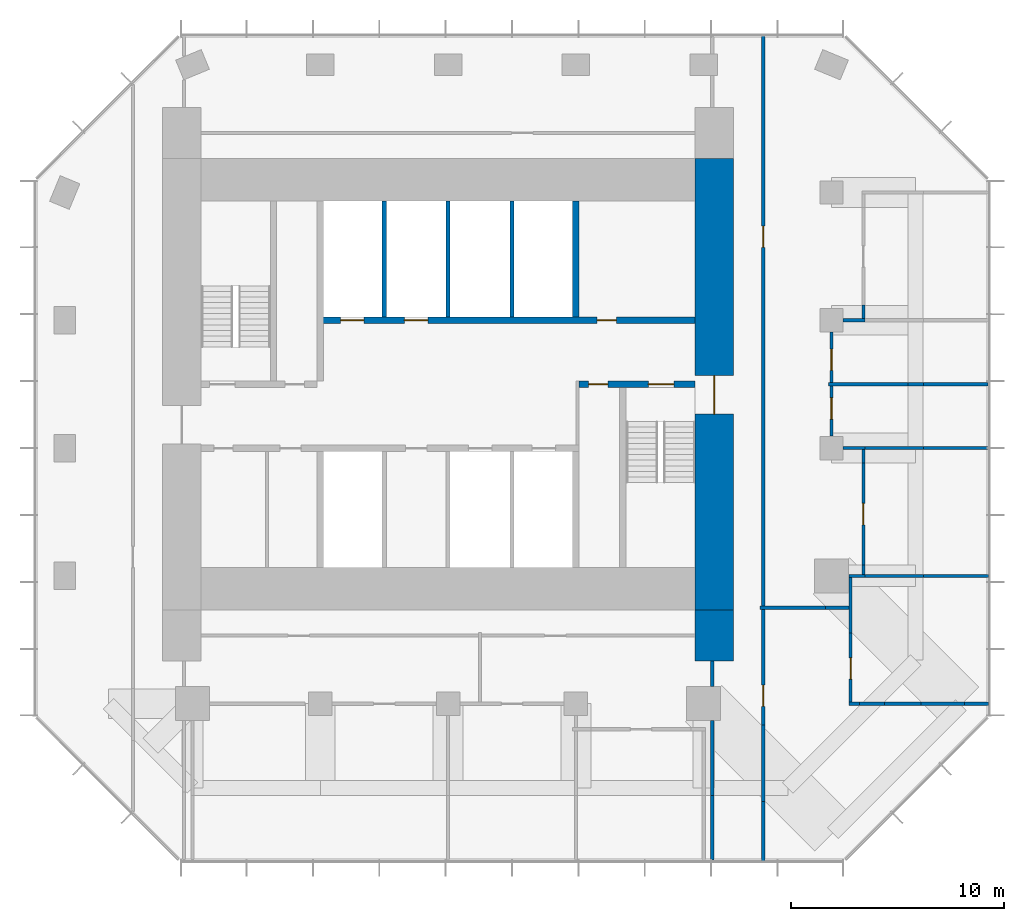
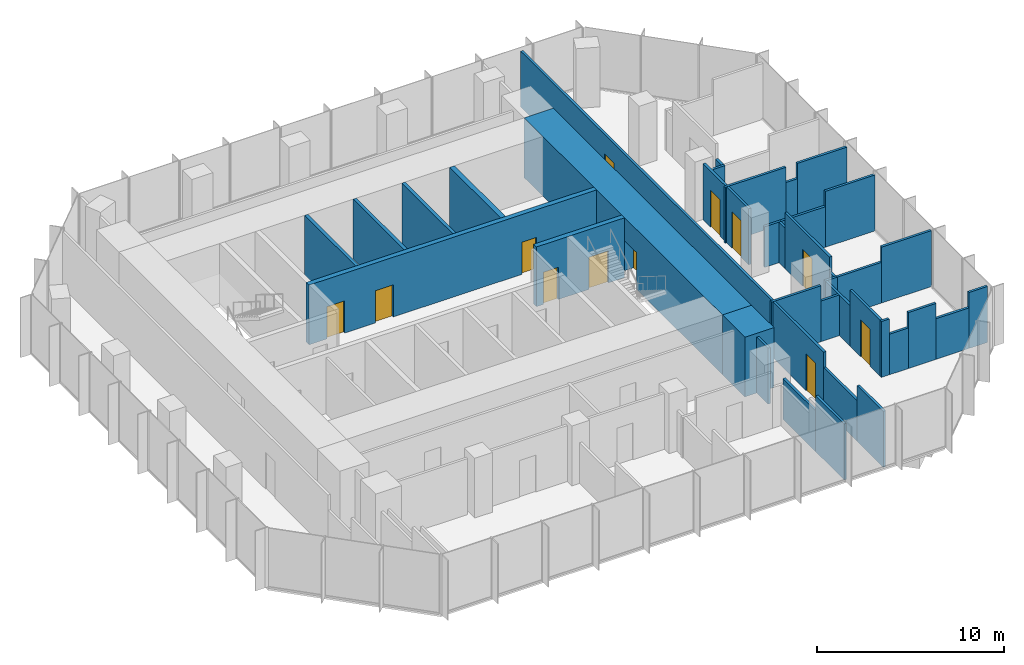
# One storey, part 9 of 11: 40 walls, 12 doors, 12 openings.
"""IFC4 building model written with IfcOpenShell, lengths in metres."""

from ifc_helpers import new_model, si_unit, direction, frame, frame_2d, origin, place, context, subcontext, project, spatial, rectangle, extrude, material, layer, layer_set, type_object, element, fill, save


model = new_model("IFC4")

# Units and contexts
model_context = context("Model", 3, precision=1e-05, world=origin(), true_north=direction((0.0, 1.0)))
body_context = subcontext(model_context, "Body", "Model", "MODEL_VIEW")
ifc_project = project(units=[si_unit("LENGTHUNIT", "METRE"), si_unit("AREAUNIT", "SQUARE_METRE"), si_unit("VOLUMEUNIT", "CUBIC_METRE"), si_unit("PLANEANGLEUNIT", "RADIAN"), si_unit("MASSUNIT", "GRAM", prefix="KILO")], contexts=[model_context])

# Site, building, storey
site_placement = place(None, origin())
site = spatial("IfcSite", under=ifc_project, at=site_placement, CompositionType="ELEMENT")
building_placement = place(site_placement, origin())
building = spatial("IfcBuilding", under=site, at=building_placement, Name="Highveld Stack Headquarters", CompositionType="ELEMENT")
storey_placement = place(building_placement, frame((0.0, 0.0, 284.0)))
storey = spatial("IfcBuildingStorey", under=building, at=storey_placement, Name="L70", CompositionType="ELEMENT", Elevation=284.0)

# Wall, opening, door
ifc_material_1 = material(Name="Concrete C60/75", Category="concrete")
ifc_layer_1 = layer(ifc_material_1, 1.800048828125)
ifc_layer_set_1 = layer_set([ifc_layer_1], Name="Concrete C60/75")
wall_type_1 = type_object("IfcWallType", Name="CORE WALL 1800 C60/75", PredefinedType="SHEAR", material=ifc_layer_set_1)
wall_1_placement = place(storey_placement, frame((18.5, -7.60009765625, 0.0), z_axis=(0.0, 0.0, 1.0), x_axis=(0.0, 1.0, 0.0)))
wall_1 = element("IfcWall", 1, at=wall_1_placement, inside=storey, type_object=wall_type_1, Name="Core wall E L70", PredefinedType="SHEAR", context=body_context, shape_type="SweptSolid", body=[
    extrude(rectangle(XDim=21.2001953125, YDim=1.800048828125, at=frame_2d((10.60009765625, 0.0))), origin(), (0.0, 0.0, 1.0), 3.89990234375),
])
opening_1_placement = place(wall_1_placement, frame((9.199951171875, 0.0, 0.0)))
opening_1 = element("IfcOpeningElement", 2, at=opening_1_placement, cuts=wall_1, Name="Opening L70-02", PredefinedType="OPENING", context=body_context, shape_type="SweptSolid", body=[
    extrude(rectangle(XDim=1.800048828125, YDim=2.39990234375, at=frame_2d((0.89990234375, 1.199951171875))), frame((0.0, 0.909912109375, 0.0), z_axis=(0.0, -1.0, 0.0), x_axis=(1.0, 0.0, 0.0)), (0.0, 0.0, 1.0), 1.820068359375),
])
ifc_material_2 = material(Name="Steel fire door", Category="steel")
door_type_1 = type_object("IfcDoorType", Name="LOBBY FIRE DOOR D4 1800x2400", OperationType="DOUBLE_DOOR_SINGLE_SWING", PredefinedType="DOOR", material=ifc_material_2)
door_1_placement = place(opening_1_placement, origin())
door_1 = element("IfcDoor", 3, at=door_1_placement, inside=storey, type_object=door_type_1, Name="Core east door L70", OperationType="DOUBLE_DOOR_SINGLE_SWING", OverallHeight=2.39990234375, OverallWidth=1.800048828125, PredefinedType="DOOR", context=body_context, shape_type="SweptSolid", body=[
    extrude(rectangle(XDim=1.800048828125, YDim=2.39990234375, at=frame_2d((0.89990234375, 1.199951171875))), frame((0.0, 0.02490234375, 0.0), z_axis=(0.0, -1.0, 0.0), x_axis=(1.0, 0.0, 0.0)), (0.0, 0.0, 1.0), 0.050048828125),
])
fill(opening_1, door_1)

# Wall, openings, doors
ifc_material_3 = material(Name="Concrete C60/75", Category="concrete")
ifc_layer_2 = layer(ifc_material_3, 0.300048828125)
ifc_layer_set_2 = layer_set([ifc_layer_2], Name="Concrete C60/75")
wall_type_2 = type_object("IfcWallType", Name="CORE WALL 300 C60/75", PredefinedType="SHEAR", material=ifc_layer_set_2)
wall_2_placement = place(storey_placement, frame((12.14990234375, 3.0, 0.0), z_axis=(0.0, 0.0, 1.0), x_axis=(1.0, 0.0, 0.0)))
wall_2 = element("IfcWall", 4, at=wall_2_placement, inside=storey, type_object=wall_type_2, Name="Core wall I-Y3E L70", PredefinedType="SHEAR", context=body_context, shape_type="SweptSolid", body=[
    extrude(rectangle(XDim=5.4501953125, YDim=0.300048828125, at=frame_2d((2.72509765625, 0.0))), origin(), (0.0, 0.0, 1.0), 3.89990234375),
])
opening_2_placement = place(wall_2_placement, frame((3.25, 0.0, 0.0)))
opening_2 = element("IfcOpeningElement", 5, at=opening_2_placement, cuts=wall_2, Name="Opening L70-05", PredefinedType="OPENING", context=body_context, shape_type="SweptSolid", body=[
    extrude(rectangle(XDim=1.199951171875, YDim=2.10009765625, at=frame_2d((0.60009765625, 1.050048828125))), frame((0.0, 0.159912109375, 0.0), z_axis=(0.0, -1.0, 0.0), x_axis=(1.0, 0.0, 0.0)), (0.0, 0.0, 1.0), 0.320068359375),
])
opening_3_placement = place(wall_2_placement, frame((0.449951171875, 0.0, 0.0)))
opening_3 = element("IfcOpeningElement", 6, at=opening_3_placement, cuts=wall_2, Name="Opening L70-06", PredefinedType="OPENING", context=body_context, shape_type="SweptSolid", body=[
    extrude(rectangle(XDim=0.89990234375, YDim=2.10009765625, at=frame_2d((0.449951171875, 1.050048828125))), frame((0.0, 0.159912109375, 0.0), z_axis=(0.0, -1.0, 0.0), x_axis=(1.0, 0.0, 0.0)), (0.0, 0.0, 1.0), 0.320068359375),
])
ifc_material_4 = material(Name="Steel fire door", Category="steel")
door_type_2 = type_object("IfcDoorType", Name="RISER ACCESS DOOR D5 900x2100", OperationType="SINGLE_SWING_LEFT", PredefinedType="DOOR", material=ifc_material_4)
door_2_placement = place(opening_3_placement, origin())
door_2 = element("IfcDoor", 7, at=door_2_placement, inside=storey, type_object=door_type_2, Name="Riser R2 door L70", OperationType="SINGLE_SWING_LEFT", OverallHeight=2.10009765625, OverallWidth=0.89990234375, PredefinedType="DOOR", context=body_context, shape_type="SweptSolid", body=[
    extrude(rectangle(XDim=0.89990234375, YDim=2.10009765625, at=frame_2d((0.449951171875, 1.050048828125))), frame((0.0, 0.02490234375, 0.0), z_axis=(0.0, -1.0, 0.0), x_axis=(1.0, 0.0, 0.0)), (0.0, 0.0, 1.0), 0.050048828125),
])
fill(opening_3, door_2)
ifc_material_5 = material(Name="Steel fire door", Category="steel")
door_type_3 = type_object("IfcDoorType", Name="STAIR FIRE DOOR D3 1200x2100", OperationType="SINGLE_SWING_LEFT", PredefinedType="DOOR", material=ifc_material_5)
door_3_placement = place(opening_2_placement, origin())
door_3 = element("IfcDoor", 8, at=door_3_placement, inside=storey, type_object=door_type_3, Name="Stair S2 door L70", OperationType="SINGLE_SWING_RIGHT", OverallHeight=2.10009765625, OverallWidth=1.199951171875, PredefinedType="DOOR", context=body_context, shape_type="SweptSolid", body=[
    extrude(rectangle(XDim=1.199951171875, YDim=2.10009765625, at=frame_2d((0.60009765625, 1.050048828125))), frame((0.0, 0.02490234375, 0.0), z_axis=(0.0, -1.0, 0.0), x_axis=(1.0, 0.0, 0.0)), (0.0, 0.0, 1.0), 0.050048828125),
])
fill(opening_2, door_3)

wall_3_placement = place(storey_placement, frame((-0.14990234375, 6.0, 0.0), z_axis=(0.0, 0.0, 1.0), x_axis=(1.0, 0.0, 0.0)))
wall_3 = element("IfcWall", 9, at=wall_3_placement, inside=storey, type_object=wall_type_2, Name="Core wall I-Y6 L70", PredefinedType="SHEAR", context=body_context, shape_type="SweptSolid", body=[
    extrude(rectangle(XDim=17.75, YDim=0.300048828125, at=frame_2d((8.875, 0.0))), origin(), (0.0, 0.0, 1.0), 3.89990234375),
])
opening_4_placement = place(wall_3_placement, frame((13.14990234375, 0.0, 0.0)))
opening_4 = element("IfcOpeningElement", 10, at=opening_4_placement, cuts=wall_3, Name="Opening L70-09", PredefinedType="OPENING", context=body_context, shape_type="SweptSolid", body=[
    extrude(rectangle(XDim=0.89990234375, YDim=2.10009765625, at=frame_2d((0.449951171875, 1.050048828125))), frame((0.0, 0.159912109375, 0.0), z_axis=(0.0, -1.0, 0.0), x_axis=(1.0, 0.0, 0.0)), (0.0, 0.0, 1.0), 0.320068359375),
])
opening_5_placement = place(wall_3_placement, frame((1.10009765625, 0.0, 0.0)))
opening_5 = element("IfcOpeningElement", 11, at=opening_5_placement, cuts=wall_3, Name="Opening LD", PredefinedType="OPENING", context=body_context, shape_type="SweptSolid", body=[
    extrude(rectangle(XDim=1.10009765625, YDim=2.10009765625, at=frame_2d((0.550048828125, 1.050048828125))), frame((0.0, 0.159912109375, 0.0), z_axis=(0.0, -1.0, 0.0), x_axis=(1.0, 0.0, 0.0)), (0.0, 0.0, 1.0), 0.320068359375),
])
opening_6_placement = place(wall_3_placement, frame((4.10009765625, 0.0, 0.0)))
opening_6 = element("IfcOpeningElement", 12, at=opening_6_placement, cuts=wall_3, Name="Opening LD", PredefinedType="OPENING", context=body_context, shape_type="SweptSolid", body=[
    extrude(rectangle(XDim=1.10009765625, YDim=2.10009765625, at=frame_2d((0.550048828125, 1.050048828125))), frame((0.0, 0.159912109375, 0.0), z_axis=(0.0, -1.0, 0.0), x_axis=(1.0, 0.0, 0.0)), (0.0, 0.0, 1.0), 0.320068359375),
])
ifc_material_6 = material(Name="Stainless steel lift landing door", Category="steel")
door_type_4 = type_object("IfcDoorType", Name="LIFT LANDING DOOR LD 1100x2100", OperationType="DOUBLE_DOOR_SLIDING", PredefinedType="USERDEFINED", material=ifc_material_6)
door_4_placement = place(opening_5_placement, origin())
door_4 = element("IfcDoor", 13, at=door_4_placement, inside=storey, type_object=door_type_4, Name="Lift landing door FF1 L70", ObjectType="LIFT LANDING DOOR", OperationType="DOUBLE_DOOR_SLIDING", OverallHeight=2.10009765625, OverallWidth=1.10009765625, PredefinedType="USERDEFINED", context=body_context, shape_type="SweptSolid", body=[
    extrude(rectangle(XDim=1.10009765625, YDim=2.10009765625, at=frame_2d((0.550048828125, 1.050048828125))), frame((0.0, 0.02490234375, 0.0), z_axis=(0.0, -1.0, 0.0), x_axis=(1.0, 0.0, 0.0)), (0.0, 0.0, 1.0), 0.050048828125),
])
fill(opening_5, door_4)
door_5_placement = place(opening_6_placement, origin())
door_5 = element("IfcDoor", 14, at=door_5_placement, inside=storey, type_object=door_type_4, Name="Lift landing door FF2 L70", ObjectType="LIFT LANDING DOOR", OperationType="DOUBLE_DOOR_SLIDING", OverallHeight=2.10009765625, OverallWidth=1.10009765625, PredefinedType="USERDEFINED", context=body_context, shape_type="SweptSolid", body=[
    extrude(rectangle(XDim=1.10009765625, YDim=2.10009765625, at=frame_2d((0.550048828125, 1.050048828125))), frame((0.0, 0.02490234375, 0.0), z_axis=(0.0, -1.0, 0.0), x_axis=(1.0, 0.0, 0.0)), (0.0, 0.0, 1.0), 0.050048828125),
])
fill(opening_6, door_5)
ifc_material_7 = material(Name="Timber door, painted", Category="wood")
door_type_5 = type_object("IfcDoorType", Name="WC DOOR D1 900x2100", OperationType="SINGLE_SWING_LEFT", PredefinedType="DOOR", material=ifc_material_7)
door_6_placement = place(opening_4_placement, origin())
door_6 = element("IfcDoor", 15, at=door_6_placement, inside=storey, type_object=door_type_5, Name="Male WC door L70", OperationType="SINGLE_SWING_RIGHT", OverallHeight=2.10009765625, OverallWidth=0.89990234375, PredefinedType="DOOR", context=body_context, shape_type="SweptSolid", body=[
    extrude(rectangle(XDim=0.89990234375, YDim=2.10009765625, at=frame_2d((0.449951171875, 1.050048828125))), frame((0.0, 0.02490234375, 0.0), z_axis=(0.0, -1.0, 0.0), x_axis=(1.0, 0.0, 0.0)), (0.0, 0.0, 1.0), 0.050048828125),
])
fill(opening_4, door_6)

# Walls
wall_4_placement = place(storey_placement, frame((12.0, 6.14990234375, 0.0), z_axis=(0.0, 0.0, 1.0), x_axis=(0.0, 1.0, 0.0)))
element("IfcWall", 16, at=wall_4_placement, inside=storey, type_object=wall_type_2, Name="Core wall I-X12N L70", PredefinedType="SHEAR", context=body_context, shape_type="SweptSolid", body=[
    extrude(rectangle(XDim=5.4501953125, YDim=0.300048828125, at=frame_2d((2.72509765625, 0.0))), origin(), (0.0, 0.0, 1.0), 3.89990234375),
])
ifc_material_8 = material(Name="Concrete C60/75", Category="concrete")
ifc_layer_3 = layer(ifc_material_8, 1.800048828125)
ifc_layer_set_3 = layer_set([ifc_layer_3], Name="Concrete C60/75")
wall_type_3 = type_object("IfcWallType", Name="CORE WING WALL 1800 C60/75", PredefinedType="SHEAR", material=ifc_layer_set_3)
wall_5_placement = place(storey_placement, frame((18.5, -10.0, 0.0), z_axis=(0.0, 0.0, 1.0), x_axis=(0.0, 1.0, 0.0)))
element("IfcWall", 17, at=wall_5_placement, inside=storey, type_object=wall_type_3, Name="Core wing wall ES L70", PredefinedType="SHEAR", context=body_context, shape_type="SweptSolid", body=[
    extrude(rectangle(XDim=2.39990234375, YDim=1.800048828125, at=frame_2d((1.199951171875, 0.0))), origin(), (0.0, 0.0, 1.0), 3.89990234375),
])
ifc_material_9 = material(Name="Concrete blockwork, fair-faced", Category="masonry")
ifc_layer_4 = layer(ifc_material_9, 0.199951171875)
ifc_layer_set_4 = layer_set([ifc_layer_4], Name="Concrete blockwork, fair-faced")
wall_type_4 = type_object("IfcWallType", Name="LIFT SHAFT ENCLOSURE WALL 200 BLOCKWORK", PredefinedType="SOLIDWALL", material=ifc_layer_set_4)
for number, where, z_axis, x_axis, name in (
    (18, (3.0, 6.14990234375, 0.0), (0.0, 0.0, 1.0), (0.0, 1.0, 0.0), "Lift shaft wall L70"),
    (19, (6.0, 6.14990234375, 0.0), (0.0, 0.0, 1.0), (0.0, 1.0, 0.0), "Lift shaft wall L70"),
    (20, (9.0, 6.14990234375, 0.0), (0.0, 0.0, 1.0), (0.0, 1.0, 0.0), "Lift shaft wall L70"),
):
    element("IfcWall", number, at=place(storey_placement, frame(where, z_axis=z_axis, x_axis=x_axis)), inside=storey, type_object=wall_type_4, Name=name, PredefinedType="SOLIDWALL", context=body_context, shape_type="SweptSolid", body=[
        extrude(rectangle(XDim=5.4501953125, YDim=0.199951171875, at=frame_2d((2.72509765625, 0.0))), origin(), (0.0, 0.0, 1.0), 3.89990234375),
    ])
ifc_material_10 = material(Name="Gypsum plasterboard on steel studs", Category="steel")
ifc_layer_5 = layer(ifc_material_10, 0.14990234375)
ifc_layer_set_5 = layer_set([ifc_layer_5], Name="Gypsum plasterboard on steel studs")
wall_type_5 = type_object("IfcWallType", Name="PARTITION 150 PLASTERBOARD", PredefinedType="PARTITIONING", material=ifc_layer_set_5)
wall_6_placement = place(storey_placement, frame((24.824951171875, -12.0, 0.0), z_axis=(0.0, 0.0, 1.0), x_axis=(1.0, 0.0, 0.0)))
element("IfcWall", 21, at=wall_6_placement, inside=storey, type_object=wall_type_5, Name="Partition Interview room L70", PredefinedType="PARTITIONING", context=body_context, shape_type="SweptSolid", body=[
    extrude(rectangle(XDim=0.485107421875, YDim=0.14990234375, at=frame_2d((0.24267578125, 0.0))), origin(), (0.0, 0.0, 1.0), 3.64990234375),
])
wall_7_placement = place(storey_placement, frame((25.31005859375, -12.0, 0.0), z_axis=(0.0, 0.0, 1.0), x_axis=(1.0, 0.0, 0.0)))
element("IfcWall", 22, at=wall_7_placement, inside=storey, type_object=wall_type_5, Name="Partition Interview room L70", PredefinedType="PARTITIONING", context=body_context, shape_type="SweptSolid", body=[
    extrude(rectangle(XDim=1.179931640625, YDim=0.14990234375, at=frame_2d((0.58984375, 0.0))), origin(), (0.0, 0.0, 1.0), 2.64990234375),
])
wall_8_placement = place(storey_placement, frame((26.489990234375, -12.0, 0.0), z_axis=(0.0, 0.0, 1.0), x_axis=(1.0, 0.0, 0.0)))
element("IfcWall", 23, at=wall_8_placement, inside=storey, type_object=wall_type_5, Name="Partition Interview room L70", PredefinedType="PARTITIONING", context=body_context, shape_type="SweptSolid", body=[
    extrude(rectangle(XDim=1.718017578125, YDim=0.14990234375, at=frame_2d((0.85888671875, 0.0))), origin(), (0.0, 0.0, 1.0), 3.64990234375),
])
wall_9_placement = place(storey_placement, frame((28.2080078125, -12.0, 0.0), z_axis=(0.0, 0.0, 1.0), x_axis=(1.0, 0.0, 0.0)))
element("IfcWall", 24, at=wall_9_placement, inside=storey, type_object=wall_type_5, Name="Partition Interview room L70", PredefinedType="PARTITIONING", context=body_context, shape_type="SweptSolid", body=[
    extrude(rectangle(XDim=2.029052734375, YDim=0.14990234375, at=frame_2d((1.0146484375, 0.0))), origin(), (0.0, 0.0, 1.0), 2.64990234375),
])
wall_10_placement = place(storey_placement, frame((30.237060546875, -12.0, 0.0), z_axis=(0.0, 0.0, 1.0), x_axis=(1.0, 0.0, 0.0)))
element("IfcWall", 25, at=wall_10_placement, inside=storey, type_object=wall_type_5, Name="Partition Interview room L70", PredefinedType="PARTITIONING", context=body_context, shape_type="SweptSolid", body=[
    extrude(rectangle(XDim=1.137939453125, YDim=0.14990234375, at=frame_2d((0.56884765625, 0.0))), origin(), (0.0, 0.0, 1.0), 3.64990234375),
])
wall_11_placement = place(storey_placement, frame((24.824951171875, -6.0, 0.0), z_axis=(0.0, 0.0, 1.0), x_axis=(1.0, 0.0, 0.0)))
element("IfcWall", 26, at=wall_11_placement, inside=storey, type_object=wall_type_5, Name="Partition Interview room L70", PredefinedType="PARTITIONING", context=body_context, shape_type="SweptSolid", body=[
    extrude(rectangle(XDim=0.75, YDim=0.14990234375, at=frame_2d((0.375, 0.0))), origin(), (0.0, 0.0, 1.0), 2.64990234375),
])
wall_12_placement = place(storey_placement, frame((25.5, -6.0, 0.0), z_axis=(0.0, 0.0, 1.0), x_axis=(1.0, 0.0, 0.0)))
element("IfcWall", 27, at=wall_12_placement, inside=storey, type_object=wall_type_5, Name="Partition Interview room / Quiet room L70", PredefinedType="PARTITIONING", context=body_context, shape_type="SweptSolid", body=[
    extrude(rectangle(XDim=2.81005859375, YDim=0.14990234375, at=frame_2d((1.405029296875, 0.0))), origin(), (0.0, 0.0, 1.0), 2.64990234375),
])
wall_13_placement = place(storey_placement, frame((28.31005859375, -6.0, 0.0), z_axis=(0.0, 0.0, 1.0), x_axis=(1.0, 0.0, 0.0)))
element("IfcWall", 28, at=wall_13_placement, inside=storey, type_object=wall_type_5, Name="Partition Interview room / Quiet room L70", PredefinedType="PARTITIONING", context=body_context, shape_type="SweptSolid", body=[
    extrude(rectangle(XDim=3.06494140625, YDim=0.14990234375, at=frame_2d((1.532470703125, 0.0))), origin(), (0.0, 0.0, 1.0), 3.64990234375),
])
wall_14_placement = place(storey_placement, frame((24.550048828125, 0.0, 0.0), z_axis=(0.0, 0.0, 1.0), x_axis=(1.0, 0.0, 0.0)))
element("IfcWall", 29, at=wall_14_placement, inside=storey, type_object=wall_type_5, Name="Partition Office L70", PredefinedType="PARTITIONING", context=body_context, shape_type="SweptSolid", body=[
    extrude(rectangle(XDim=1.02490234375, YDim=0.14990234375, at=frame_2d((0.512451171875, 0.0))), origin(), (0.0, 0.0, 1.0), 2.64990234375),
])
wall_15_placement = place(storey_placement, frame((25.5, 0.0, 0.0), z_axis=(0.0, 0.0, 1.0), x_axis=(1.0, 0.0, 0.0)))
element("IfcWall", 30, at=wall_15_placement, inside=storey, type_object=wall_type_5, Name="Partition Office / Quiet room L70", PredefinedType="PARTITIONING", context=body_context, shape_type="SweptSolid", body=[
    extrude(rectangle(XDim=2.81005859375, YDim=0.14990234375, at=frame_2d((1.405029296875, 0.0))), origin(), (0.0, 0.0, 1.0), 2.64990234375),
])
wall_16_placement = place(storey_placement, frame((28.31005859375, 0.0, 0.0), z_axis=(0.0, 0.0, 1.0), x_axis=(1.0, 0.0, 0.0)))
element("IfcWall", 31, at=wall_16_placement, inside=storey, type_object=wall_type_5, Name="Partition Office / Quiet room L70", PredefinedType="PARTITIONING", context=body_context, shape_type="SweptSolid", body=[
    extrude(rectangle(XDim=3.0400390625, YDim=0.14990234375, at=frame_2d((1.52001953125, 0.0))), origin(), (0.0, 0.0, 1.0), 3.64990234375),
])
wall_17_placement = place(storey_placement, frame((23.85009765625, 3.0, 0.0), z_axis=(0.0, 0.0, 1.0), x_axis=(1.0, 0.0, 0.0)))
element("IfcWall", 32, at=wall_17_placement, inside=storey, type_object=wall_type_5, Name="Partition Office L70", PredefinedType="PARTITIONING", context=body_context, shape_type="SweptSolid", body=[
    extrude(rectangle(XDim=3.739990234375, YDim=0.14990234375, at=frame_2d((1.8701171875, 0.0))), origin(), (0.0, 0.0, 1.0), 3.64990234375),
])
wall_18_placement = place(storey_placement, frame((27.590087890625, 3.0, 0.0), z_axis=(0.0, 0.0, 1.0), x_axis=(1.0, 0.0, 0.0)))
element("IfcWall", 33, at=wall_18_placement, inside=storey, type_object=wall_type_5, Name="Partition Office L70", PredefinedType="PARTITIONING", context=body_context, shape_type="SweptSolid", body=[
    extrude(rectangle(XDim=0.719970703125, YDim=0.14990234375, at=frame_2d((0.35986328125, 0.0))), origin(), (0.0, 0.0, 1.0), 2.64990234375),
])
wall_19_placement = place(storey_placement, frame((28.31005859375, 3.0, 0.0), z_axis=(0.0, 0.0, 1.0), x_axis=(1.0, 0.0, 0.0)))
element("IfcWall", 34, at=wall_19_placement, inside=storey, type_object=wall_type_5, Name="Partition Office L70", PredefinedType="PARTITIONING", context=body_context, shape_type="SweptSolid", body=[
    extrude(rectangle(XDim=3.0400390625, YDim=0.14990234375, at=frame_2d((1.52001953125, 0.0))), origin(), (0.0, 0.0, 1.0), 3.64990234375),
])
wall_20_placement = place(storey_placement, frame((24.550048828125, 6.0, 0.0), z_axis=(0.0, 0.0, 1.0), x_axis=(1.0, 0.0, 0.0)))
element("IfcWall", 35, at=wall_20_placement, inside=storey, type_object=wall_type_5, Name="Partition Office L70", PredefinedType="PARTITIONING", context=body_context, shape_type="SweptSolid", body=[
    extrude(rectangle(XDim=1.02490234375, YDim=0.14990234375, at=frame_2d((0.512451171875, 0.0))), origin(), (0.0, 0.0, 1.0), 2.64990234375),
])

# Wall, opening, door
wall_21_placement = place(storey_placement, frame((24.0, 0.56005859375, 0.0), z_axis=(0.0, 0.0, 1.0), x_axis=(0.0, 1.0, 0.0)))
wall_21 = element("IfcWall", 36, at=wall_21_placement, inside=storey, type_object=wall_type_5, Name="Partition Office L70", PredefinedType="PARTITIONING", context=body_context, shape_type="SweptSolid", body=[
    extrude(rectangle(XDim=2.364990234375, YDim=0.14990234375, at=frame_2d((1.1826171875, 0.0))), origin(), (0.0, 0.0, 1.0), 3.64990234375),
])
opening_7_placement = place(wall_21_placement, frame((0.794921875, 0.0, 0.0)))
opening_7 = element("IfcOpeningElement", 37, at=opening_7_placement, cuts=wall_21, Name="Opening L70-16", PredefinedType="OPENING", context=body_context, shape_type="SweptSolid", body=[
    extrude(rectangle(XDim=1.0, YDim=2.39990234375, at=frame_2d((0.5, 1.199951171875))), frame((0.0, 0.0849609375, 0.0), z_axis=(0.0, -1.0, 0.0), x_axis=(1.0, 0.0, 0.0)), (0.0, 0.0, 1.0), 0.169921875),
])
ifc_material_11 = material(Name="Timber door, oiled ash", Category="wood")
door_type_6 = type_object("IfcDoorType", Name="ROOM DOOR D11 1000x2400", OperationType="SINGLE_SWING_LEFT", PredefinedType="DOOR", material=ifc_material_11)
door_7_placement = place(opening_7_placement, origin())
door_7 = element("IfcDoor", 38, at=door_7_placement, inside=storey, type_object=door_type_6, Name="Office door 1 L70", OperationType="SINGLE_SWING_RIGHT", OverallHeight=2.39990234375, OverallWidth=1.0, PredefinedType="DOOR", context=body_context, shape_type="SweptSolid", body=[
    extrude(rectangle(XDim=1.0, YDim=2.39990234375, at=frame_2d((0.5, 1.199951171875))), frame((0.0, 0.02490234375, 0.0), z_axis=(0.0, -1.0, 0.0), x_axis=(1.0, 0.0, 0.0)), (0.0, 0.0, 1.0), 0.050048828125),
])
fill(opening_7, door_7)

wall_22_placement = place(storey_placement, frame((24.0, 3.074951171875, 0.0), z_axis=(0.0, 0.0, 1.0), x_axis=(0.0, 1.0, 0.0)))
wall_22 = element("IfcWall", 39, at=wall_22_placement, inside=storey, type_object=wall_type_5, Name="Partition Office L70", PredefinedType="PARTITIONING", context=body_context, shape_type="SweptSolid", body=[
    extrude(rectangle(XDim=2.364990234375, YDim=0.14990234375, at=frame_2d((1.1826171875, 0.0))), origin(), (0.0, 0.0, 1.0), 3.64990234375),
])
opening_8_placement = place(wall_22_placement, frame((0.570068359375, 0.0, 0.0)))
opening_8 = element("IfcOpeningElement", 40, at=opening_8_placement, cuts=wall_22, Name="Opening L70-17", PredefinedType="OPENING", context=body_context, shape_type="SweptSolid", body=[
    extrude(rectangle(XDim=1.0, YDim=2.39990234375, at=frame_2d((0.5, 1.199951171875))), frame((0.0, 0.0849609375, 0.0), z_axis=(0.0, -1.0, 0.0), x_axis=(1.0, 0.0, 0.0)), (0.0, 0.0, 1.0), 0.169921875),
])
door_8_placement = place(opening_8_placement, origin())
door_8 = element("IfcDoor", 41, at=door_8_placement, inside=storey, type_object=door_type_6, Name="Office door 1 L70", OperationType="SINGLE_SWING_LEFT", OverallHeight=2.39990234375, OverallWidth=1.0, PredefinedType="DOOR", context=body_context, shape_type="SweptSolid", body=[
    extrude(rectangle(XDim=1.0, YDim=2.39990234375, at=frame_2d((0.5, 1.199951171875))), frame((0.0, 0.02490234375, 0.0), z_axis=(0.0, -1.0, 0.0), x_axis=(1.0, 0.0, 0.0)), (0.0, 0.0, 1.0), 0.050048828125),
])
fill(opening_8, door_8)

wall_23_placement = place(storey_placement, frame((24.89990234375, -11.925048828125, 0.0), z_axis=(0.0, 0.0, 1.0), x_axis=(0.0, 1.0, 0.0)))
wall_23 = element("IfcWall", 42, at=wall_23_placement, inside=storey, type_object=wall_type_5, Name="Partition Interview room L70", PredefinedType="PARTITIONING", context=body_context, shape_type="SweptSolid", body=[
    extrude(rectangle(XDim=3.23291015625, YDim=0.14990234375, at=frame_2d((1.616455078125, 0.0))), origin(), (0.0, 0.0, 1.0), 3.64990234375),
])
opening_9_placement = place(wall_23_placement, frame((1.0791015625, 0.0, 0.0)))
opening_9 = element("IfcOpeningElement", 43, at=opening_9_placement, cuts=wall_23, Name="Opening L70-14", PredefinedType="OPENING", context=body_context, shape_type="SweptSolid", body=[
    extrude(rectangle(XDim=1.0, YDim=2.39990234375, at=frame_2d((0.5, 1.199951171875))), frame((0.0, 0.0849609375, 0.0), z_axis=(0.0, -1.0, 0.0), x_axis=(1.0, 0.0, 0.0)), (0.0, 0.0, 1.0), 0.169921875),
])
door_9_placement = place(opening_9_placement, origin())
door_9 = element("IfcDoor", 44, at=door_9_placement, inside=storey, type_object=door_type_6, Name="Interview room door 1 L70", OperationType="SINGLE_SWING_LEFT", OverallHeight=2.39990234375, OverallWidth=1.0, PredefinedType="DOOR", context=body_context, shape_type="SweptSolid", body=[
    extrude(rectangle(XDim=1.0, YDim=2.39990234375, at=frame_2d((0.5, 1.199951171875))), frame((0.0, 0.02490234375, 0.0), z_axis=(0.0, -1.0, 0.0), x_axis=(1.0, 0.0, 0.0)), (0.0, 0.0, 1.0), 0.050048828125),
])
fill(opening_9, door_9)

# Walls
wall_24_placement = place(storey_placement, frame((24.89990234375, -8.692138671875, 0.0), z_axis=(0.0, 0.0, 1.0), x_axis=(0.0, 1.0, 0.0)))
element("IfcWall", 45, at=wall_24_placement, inside=storey, type_object=wall_type_5, Name="Partition Interview room L70", PredefinedType="PARTITIONING", context=body_context, shape_type="SweptSolid", body=[
    extrude(rectangle(XDim=2.6171875, YDim=0.14990234375, at=frame_2d((1.30859375, 0.0))), origin(), (0.0, 0.0, 1.0), 2.64990234375),
])
wall_25_placement = place(storey_placement, frame((25.5, -5.925048828125, 0.0), z_axis=(0.0, 0.0, 1.0), x_axis=(0.0, 1.0, 0.0)))
element("IfcWall", 46, at=wall_25_placement, inside=storey, type_object=wall_type_5, Name="Partition Quiet room L70", PredefinedType="PARTITIONING", context=body_context, shape_type="SweptSolid", body=[
    extrude(rectangle(XDim=0.43505859375, YDim=0.14990234375, at=frame_2d((0.217529296875, 0.0))), origin(), (0.0, 0.0, 1.0), 2.64990234375),
])

# Wall, opening, door
wall_26_placement = place(storey_placement, frame((25.5, -5.489990234375, 0.0), z_axis=(0.0, 0.0, 1.0), x_axis=(0.0, 1.0, 0.0)))
wall_26 = element("IfcWall", 47, at=wall_26_placement, inside=storey, type_object=wall_type_5, Name="Partition Quiet room L70", PredefinedType="PARTITIONING", context=body_context, shape_type="SweptSolid", body=[
    extrude(rectangle(XDim=4.780029296875, YDim=0.14990234375, at=frame_2d((2.39013671875, 0.0))), origin(), (0.0, 0.0, 1.0), 3.64990234375),
])
opening_10_placement = place(wall_26_placement, frame((1.889892578125, 0.0, 0.0)))
opening_10 = element("IfcOpeningElement", 48, at=opening_10_placement, cuts=wall_26, Name="Opening L70-15", PredefinedType="OPENING", context=body_context, shape_type="SweptSolid", body=[
    extrude(rectangle(XDim=1.0, YDim=2.39990234375, at=frame_2d((0.5, 1.199951171875))), frame((0.0, 0.0849609375, 0.0), z_axis=(0.0, -1.0, 0.0), x_axis=(1.0, 0.0, 0.0)), (0.0, 0.0, 1.0), 0.169921875),
])
door_10_placement = place(opening_10_placement, origin())
door_10 = element("IfcDoor", 49, at=door_10_placement, inside=storey, type_object=door_type_6, Name="Quiet room door 1 L70", OperationType="SINGLE_SWING_LEFT", OverallHeight=2.39990234375, OverallWidth=1.0, PredefinedType="DOOR", context=body_context, shape_type="SweptSolid", body=[
    extrude(rectangle(XDim=1.0, YDim=2.39990234375, at=frame_2d((0.5, 1.199951171875))), frame((0.0, 0.02490234375, 0.0), z_axis=(0.0, -1.0, 0.0), x_axis=(1.0, 0.0, 0.0)), (0.0, 0.0, 1.0), 0.050048828125),
])
fill(opening_10, door_10)

# Walls
for number, where, z_axis, x_axis, name in (
    (50, (25.5, -0.7099609375, 0.0), (0.0, 0.0, 1.0), (0.0, 1.0, 0.0), "Partition Quiet room L70"),
    (51, (25.5, 6.074951171875, 0.0), (0.0, 0.0, 1.0), (0.0, 1.0, 0.0), "Partition Quiet room L70"),
):
    element("IfcWall", number, at=place(storey_placement, frame(where, z_axis=z_axis, x_axis=x_axis)), inside=storey, type_object=wall_type_5, Name=name, PredefinedType="PARTITIONING", context=body_context, shape_type="SweptSolid", body=[
        extrude(rectangle(XDim=0.635009765625, YDim=0.14990234375, at=frame_2d((0.3173828125, 0.0))), origin(), (0.0, 0.0, 1.0), 2.64990234375),
    ])
wall_27_placement = place(storey_placement, frame((18.39990234375, -19.35009765625, 0.0), z_axis=(0.0, 0.0, 1.0), x_axis=(0.0, 1.0, 0.0)))
element("IfcWall", 52, at=wall_27_placement, inside=storey, type_object=wall_type_5, Name="Partition office neighbourhood L70", PredefinedType="PARTITIONING", context=body_context, shape_type="SweptSolid", body=[
    extrude(rectangle(XDim=3.0400390625, YDim=0.14990234375, at=frame_2d((1.52001953125, 0.0))), origin(), (0.0, 0.0, 1.0), 3.64990234375),
])
wall_28_placement = place(storey_placement, frame((18.39990234375, -16.31005859375, 0.0), z_axis=(0.0, 0.0, 1.0), x_axis=(0.0, 1.0, 0.0)))
element("IfcWall", 53, at=wall_28_placement, inside=storey, type_object=wall_type_5, Name="Partition office neighbourhood L70", PredefinedType="PARTITIONING", context=body_context, shape_type="SweptSolid", body=[
    extrude(rectangle(XDim=3.510009765625, YDim=0.14990234375, at=frame_2d((1.7548828125, 0.0))), origin(), (0.0, 0.0, 1.0), 2.64990234375),
])
wall_29_placement = place(storey_placement, frame((18.39990234375, -11.199951171875, 0.0), z_axis=(0.0, 0.0, 1.0), x_axis=(0.0, 1.0, 0.0)))
element("IfcWall", 54, at=wall_29_placement, inside=storey, type_object=wall_type_5, Name="Partition office neighbourhood L70", PredefinedType="PARTITIONING", context=body_context, shape_type="SweptSolid", body=[
    extrude(rectangle(XDim=1.199951171875, YDim=0.14990234375, at=frame_2d((0.60009765625, 0.0))), origin(), (0.0, 0.0, 1.0), 3.64990234375),
])
wall_30_placement = place(storey_placement, frame((20.800048828125, -19.375, 0.0), z_axis=(0.0, 0.0, 1.0), x_axis=(0.0, 1.0, 0.0)))
element("IfcWall", 55, at=wall_30_placement, inside=storey, type_object=wall_type_5, Name="Partition office neighbourhood L70", PredefinedType="PARTITIONING", context=body_context, shape_type="SweptSolid", body=[
    extrude(rectangle(XDim=2.782958984375, YDim=0.14990234375, at=frame_2d((1.3916015625, 0.0))), origin(), (0.0, 0.0, 1.0), 3.64990234375),
])
wall_31_placement = place(storey_placement, frame((20.800048828125, -16.592041015625, 0.0), z_axis=(0.0, 0.0, 1.0), x_axis=(0.0, 1.0, 0.0)))
element("IfcWall", 56, at=wall_31_placement, inside=storey, type_object=wall_type_5, Name="Partition office neighbourhood L70", PredefinedType="PARTITIONING", context=body_context, shape_type="SweptSolid", body=[
    extrude(rectangle(XDim=3.584228515625, YDim=0.14990234375, at=frame_2d((1.7919921875, 0.0))), origin(), (0.0, 0.0, 1.0), 2.64990234375),
])

# Wall, opening, door
wall_32_placement = place(storey_placement, frame((20.800048828125, -13.0078125, 0.0), z_axis=(0.0, 0.0, 1.0), x_axis=(0.0, 1.0, 0.0)))
wall_32 = element("IfcWall", 57, at=wall_32_placement, inside=storey, type_object=wall_type_5, Name="Partition office neighbourhood L70", PredefinedType="PARTITIONING", context=body_context, shape_type="SweptSolid", body=[
    extrude(rectangle(XDim=5.432861328125, YDim=0.14990234375, at=frame_2d((2.71630859375, 0.0))), origin(), (0.0, 0.0, 1.0), 3.64990234375),
])
opening_11_placement = place(wall_32_placement, frame((0.8779296875, 0.0, 0.0)))
opening_11 = element("IfcOpeningElement", 58, at=opening_11_placement, cuts=wall_32, Name="Opening L70-19", PredefinedType="OPENING", context=body_context, shape_type="SweptSolid", body=[
    extrude(rectangle(XDim=1.0, YDim=2.39990234375, at=frame_2d((0.5, 1.199951171875))), frame((0.0, 0.0849609375, 0.0), z_axis=(0.0, -1.0, 0.0), x_axis=(1.0, 0.0, 0.0)), (0.0, 0.0, 1.0), 0.169921875),
])
door_11_placement = place(opening_11_placement, origin())
door_11 = element("IfcDoor", 59, at=door_11_placement, inside=storey, type_object=door_type_6, Name="Office neighbourhood door L70", OperationType="SINGLE_SWING_LEFT", OverallHeight=2.39990234375, OverallWidth=1.0, PredefinedType="DOOR", context=body_context, shape_type="SweptSolid", body=[
    extrude(rectangle(XDim=1.0, YDim=2.39990234375, at=frame_2d((0.5, 1.199951171875))), frame((0.0, 0.02490234375, 0.0), z_axis=(0.0, -1.0, 0.0), x_axis=(1.0, 0.0, 0.0)), (0.0, 0.0, 1.0), 0.050048828125),
])
fill(opening_11, door_11)

wall_33_placement = place(storey_placement, frame((20.800048828125, -7.425048828125, 0.0), z_axis=(0.0, 0.0, 1.0), x_axis=(0.0, 1.0, 0.0)))
wall_33 = element("IfcWall", 60, at=wall_33_placement, inside=storey, type_object=wall_type_5, Name="Partition office neighbourhood L70", PredefinedType="PARTITIONING", context=body_context, shape_type="SweptSolid", body=[
    extrude(rectangle(XDim=26.800048828125, YDim=0.14990234375, at=frame_2d((13.39990234375, 0.0))), origin(), (0.0, 0.0, 1.0), 3.64990234375),
])
opening_12_placement = place(wall_33_placement, frame((16.844970703125, 0.0, 0.0)))
opening_12 = element("IfcOpeningElement", 61, at=opening_12_placement, cuts=wall_33, Name="Opening L70-23", PredefinedType="OPENING", context=body_context, shape_type="SweptSolid", body=[
    extrude(rectangle(XDim=1.0, YDim=2.39990234375, at=frame_2d((0.5, 1.199951171875))), frame((0.0, 0.0849609375, 0.0), z_axis=(0.0, -1.0, 0.0), x_axis=(1.0, 0.0, 0.0)), (0.0, 0.0, 1.0), 0.169921875),
])
door_12_placement = place(opening_12_placement, origin())
door_12 = element("IfcDoor", 62, at=door_12_placement, inside=storey, type_object=door_type_6, Name="Office neighbourhood door L70", OperationType="SINGLE_SWING_RIGHT", OverallHeight=2.39990234375, OverallWidth=1.0, PredefinedType="DOOR", context=body_context, shape_type="SweptSolid", body=[
    extrude(rectangle(XDim=1.0, YDim=2.39990234375, at=frame_2d((0.5, 1.199951171875))), frame((0.0, 0.02490234375, 0.0), z_axis=(0.0, -1.0, 0.0), x_axis=(1.0, 0.0, 0.0)), (0.0, 0.0, 1.0), 0.050048828125),
])
fill(opening_12, door_12)

# Walls
wall_34_placement = place(storey_placement, frame((20.64990234375, -7.5, 0.0), z_axis=(0.0, 0.0, 1.0), x_axis=(1.0, 0.0, 0.0)))
element("IfcWall", 63, at=wall_34_placement, inside=storey, type_object=wall_type_5, Name="Partition office neighbourhood L70", PredefinedType="PARTITIONING", context=body_context, shape_type="SweptSolid", body=[
    extrude(rectangle(XDim=3.05810546875, YDim=0.14990234375, at=frame_2d((1.529052734375, 0.0))), origin(), (0.0, 0.0, 1.0), 3.64990234375),
])
wall_35_placement = place(storey_placement, frame((23.7080078125, -7.5, 0.0), z_axis=(0.0, 0.0, 1.0), x_axis=(1.0, 0.0, 0.0)))
element("IfcWall", 64, at=wall_35_placement, inside=storey, type_object=wall_type_5, Name="Partition office neighbourhood L70", PredefinedType="PARTITIONING", context=body_context, shape_type="SweptSolid", body=[
    extrude(rectangle(XDim=1.116943359375, YDim=0.14990234375, at=frame_2d((0.55859375, 0.0))), origin(), (0.0, 0.0, 1.0), 2.64990234375),
])

save(model, "model.ifc")
